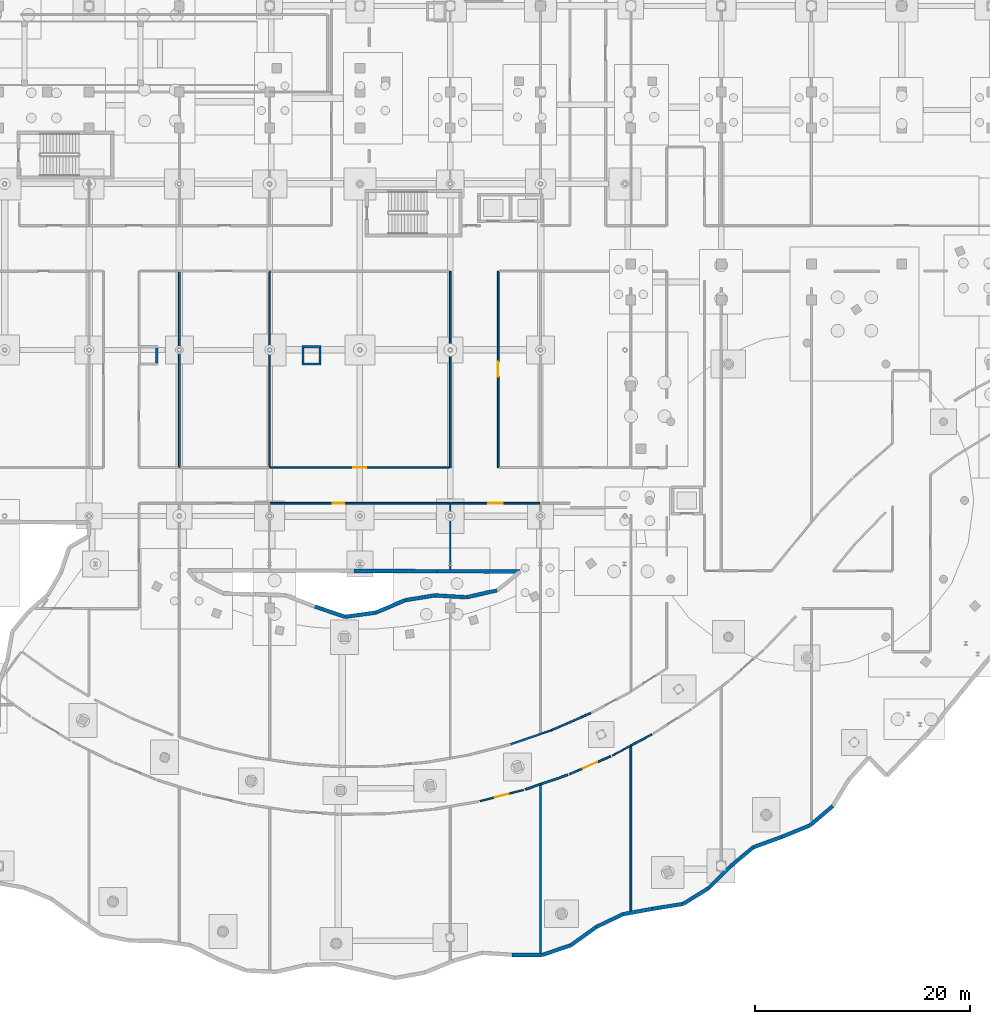
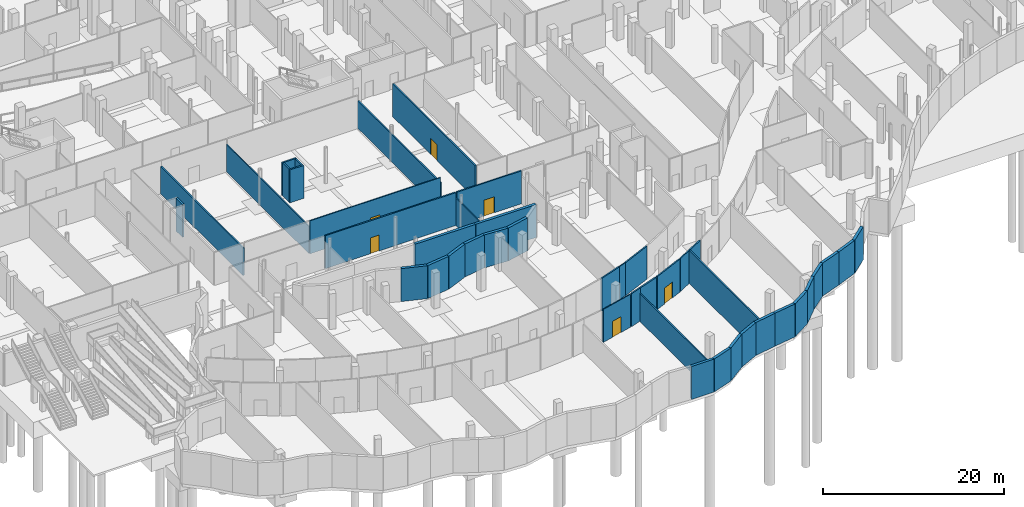
# One storey, part 27 of 45: 44 walls, 6 doors, 6 openings.
"""IFC4 building model written with IfcOpenShell, lengths in metres."""

from ifc_helpers import new_model, si_unit, direction, frame, frame_2d, origin, place, context, subcontext, project, spatial, rectangle, extrude, material, layer, layer_set, type_object, element, fill, save


model = new_model("IFC4")

# Units and contexts
model_context = context("Model", 3, precision=1e-05, world=origin(), true_north=direction((0.0, 1.0)))
body_context = subcontext(model_context, "Body", "Model", "MODEL_VIEW")
ifc_project = project(units=[si_unit("LENGTHUNIT", "METRE"), si_unit("AREAUNIT", "SQUARE_METRE"), si_unit("VOLUMEUNIT", "CUBIC_METRE"), si_unit("PLANEANGLEUNIT", "RADIAN"), si_unit("MASSUNIT", "GRAM", prefix="KILO")], contexts=[model_context])

# Site, building, storey
site_placement = place(None, origin())
site = spatial("IfcSite", under=ifc_project, at=site_placement, CompositionType="ELEMENT")
building_placement = place(site_placement, origin())
building = spatial("IfcBuilding", under=site, at=building_placement, Name="Selatvlak General Hospital", CompositionType="ELEMENT")
storey_placement = place(building_placement, frame((0.0, 0.0, -4.800048828125)))
storey = spatial("IfcBuildingStorey", under=building, at=storey_placement, Name="B1", CompositionType="ELEMENT", Elevation=-4.800048828125)

# Walls
ifc_material_1 = material(Name="Concrete C45/55", Category="concrete")
ifc_layer_1 = layer(ifc_material_1, 0.35009765625, Name="Concrete C45/55", Category="concrete")
ifc_layer_set_1 = layer_set([ifc_layer_1], Name="Concrete C45/55")
wall_type_1 = type_object("IfcWallType", Name="WALL-EW-05", PredefinedType="SHEAR", material=ifc_layer_set_1)
wall_1_placement = place(storey_placement, frame((100.39404296875, 25.574951171875, 0.0), z_axis=(0.0, 0.0, 1.0), x_axis=(-0.761982635716, -0.64759745434, 0.0)))
element("IfcWall", 1, at=wall_1_placement, inside=storey, type_object=wall_type_1, Name="B1 retaining wall 0076", PredefinedType="SHEAR", context=body_context, shape_type="SweptSolid", body=[
    extrude(rectangle(XDim=2.781005859375, YDim=0.35009765625, at=frame_2d((1.390625, 0.0))), origin(), (0.0, 0.0, 1.0), 4.449951171875),
])
wall_2_placement = place(storey_placement, frame((98.27490234375, 23.77392578125, 0.0), z_axis=(0.0, 0.0, 1.0), x_axis=(-0.925850699437, -0.377889510772, 0.0)))
element("IfcWall", 2, at=wall_2_placement, inside=storey, type_object=wall_type_1, Name="B1 retaining wall 0077", PredefinedType="SHEAR", context=body_context, shape_type="SweptSolid", body=[
    extrude(rectangle(XDim=2.852294921875, YDim=0.35009765625, at=frame_2d((1.42626953125, 0.0))), origin(), (0.0, 0.0, 1.0), 4.449951171875),
])
wall_3_placement = place(storey_placement, frame((95.634033203125, 22.696044921875, 0.0), z_axis=(0.0, 0.0, 1.0), x_axis=(-0.939965622494, -0.341269143827, 0.0)))
element("IfcWall", 3, at=wall_3_placement, inside=storey, type_object=wall_type_1, Name="B1 retaining wall 0078", PredefinedType="SHEAR", context=body_context, shape_type="SweptSolid", body=[
    extrude(rectangle(XDim=2.81298828125, YDim=0.35009765625, at=frame_2d((1.406494140625, 0.0))), origin(), (0.0, 0.0, 1.0), 4.449951171875),
])
wall_4_placement = place(storey_placement, frame((92.989990234375, 21.736083984375, 0.0), z_axis=(0.0, 0.0, 1.0), x_axis=(-0.76906516177, -0.639170381785, 0.0)))
element("IfcWall", 4, at=wall_4_placement, inside=storey, type_object=wall_type_1, Name="B1 retaining wall 0079", PredefinedType="SHEAR", context=body_context, shape_type="SweptSolid", body=[
    extrude(rectangle(XDim=2.772216796875, YDim=0.35009765625, at=frame_2d((1.38623046875, 0.0))), origin(), (0.0, 0.0, 1.0), 4.449951171875),
])
wall_5_placement = place(storey_placement, frame((90.85791015625, 19.964111328125, 0.0), z_axis=(0.0, 0.0, 1.0), x_axis=(-0.706212168746, -0.708000263217, 0.0)))
element("IfcWall", 5, at=wall_5_placement, inside=storey, type_object=wall_type_1, Name="B1 retaining wall 0080", PredefinedType="SHEAR", context=body_context, shape_type="SweptSolid", body=[
    extrude(rectangle(XDim=2.8671875, YDim=0.35009765625, at=frame_2d((1.43359375, 0.0))), origin(), (0.0, 0.0, 1.0), 4.449951171875),
])
wall_6_placement = place(storey_placement, frame((88.8330078125, 17.93408203125, 0.0), z_axis=(0.0, 0.0, 1.0), x_axis=(-0.849701046784, -0.527264763752, 0.0)))
element("IfcWall", 6, at=wall_6_placement, inside=storey, type_object=wall_type_1, Name="B1 retaining wall 0081", PredefinedType="SHEAR", context=body_context, shape_type="SweptSolid", body=[
    extrude(rectangle(XDim=2.787841796875, YDim=0.35009765625, at=frame_2d((1.39404296875, 0.0))), origin(), (0.0, 0.0, 1.0), 4.449951171875),
])
wall_7_placement = place(storey_placement, frame((86.464111328125, 16.464111328125, 0.0), z_axis=(0.0, 0.0, 1.0), x_axis=(-0.9875020261, -0.157606308405, 0.0)))
element("IfcWall", 7, at=wall_7_placement, inside=storey, type_object=wall_type_1, Name="B1 retaining wall 0082", PredefinedType="SHEAR", context=body_context, shape_type="SweptSolid", body=[
    extrude(rectangle(XDim=2.875, YDim=0.35009765625, at=frame_2d((1.4375, 0.0))), origin(), (0.0, 0.0, 1.0), 4.449951171875),
])
wall_8_placement = place(storey_placement, frame((83.625, 16.010986328125, 0.0), z_axis=(0.0, 0.0, 1.0), x_axis=(-0.983892247741, -0.17876253756, 0.0)))
element("IfcWall", 8, at=wall_8_placement, inside=storey, type_object=wall_type_1, Name="B1 retaining wall 0083", PredefinedType="SHEAR", context=body_context, shape_type="SweptSolid", body=[
    extrude(rectangle(XDim=2.797119140625, YDim=0.35009765625, at=frame_2d((1.3984375, 0.0))), origin(), (0.0, 0.0, 1.0), 4.449951171875),
])
wall_9_placement = place(storey_placement, frame((80.873046875, 15.510986328125, 0.0), z_axis=(0.0, 0.0, 1.0), x_axis=(-0.902354807678, -0.430993968705, 0.0)))
element("IfcWall", 9, at=wall_9_placement, inside=storey, type_object=wall_type_1, Name="B1 retaining wall 0084", PredefinedType="SHEAR", context=body_context, shape_type="SweptSolid", body=[
    extrude(rectangle(XDim=2.751953125, YDim=0.35009765625, at=frame_2d((1.3759765625, 0.0))), origin(), (0.0, 0.0, 1.0), 4.449951171875),
])
wall_10_placement = place(storey_placement, frame((78.389892578125, 14.324951171875, 0.0), z_axis=(0.0, 0.0, 1.0), x_axis=(-0.811689002355, -0.584089859059, 0.0)))
element("IfcWall", 10, at=wall_10_placement, inside=storey, type_object=wall_type_1, Name="B1 retaining wall 0085", PredefinedType="SHEAR", context=body_context, shape_type="SweptSolid", body=[
    extrude(rectangle(XDim=2.90380859375, YDim=0.35009765625, at=frame_2d((1.451904296875, 0.0))), origin(), (0.0, 0.0, 1.0), 4.449951171875),
])
wall_11_placement = place(storey_placement, frame((76.032958984375, 12.62890625, 0.0), z_axis=(0.0, 0.0, 1.0), x_axis=(-0.946331522705, -0.323197538874, 0.0)))
element("IfcWall", 11, at=wall_11_placement, inside=storey, type_object=wall_type_1, Name="B1 retaining wall 0086", PredefinedType="SHEAR", context=body_context, shape_type="SweptSolid", body=[
    extrude(rectangle(XDim=2.78125, YDim=0.35009765625, at=frame_2d((1.390625, 0.0))), origin(), (0.0, 0.0, 1.0), 4.449951171875),
])
wall_12_placement = place(storey_placement, frame((73.40087890625, 11.72998046875, 0.0), z_axis=(0.0, 0.0, 1.0), x_axis=(-0.999999763982, -0.000687048962, 0.0)))
element("IfcWall", 12, at=wall_12_placement, inside=storey, type_object=wall_type_1, Name="B1 retaining wall 0087", PredefinedType="SHEAR", context=body_context, shape_type="SweptSolid", body=[
    extrude(rectangle(XDim=2.8427734375, YDim=0.35009765625, at=frame_2d((1.42138671875, 0.0))), origin(), (0.0, 0.0, 1.0), 4.449951171875),
])
wall_13_placement = place(storey_placement, frame((52.216064453125, 44.131103515625, 0.0), z_axis=(0.0, 0.0, 1.0), x_axis=(0.946339976723, -0.323172784213, 0.0)))
element("IfcWall", 13, at=wall_13_placement, inside=storey, type_object=wall_type_1, Name="B1 retaining wall 0127", PredefinedType="SHEAR", context=body_context, shape_type="SweptSolid", body=[
    extrude(rectangle(XDim=2.94921875, YDim=0.35009765625, at=frame_2d((1.474609375, 0.0))), origin(), (0.0, 0.0, 1.0), 4.449951171875),
])
wall_14_placement = place(storey_placement, frame((55.007080078125, 43.177978515625, 0.0), z_axis=(0.0, 0.0, 1.0), x_axis=(0.990898218755, 0.134613223971, 0.0)))
element("IfcWall", 14, at=wall_14_placement, inside=storey, type_object=wall_type_1, Name="B1 retaining wall 0128", PredefinedType="SHEAR", context=body_context, shape_type="SweptSolid", body=[
    extrude(rectangle(XDim=2.898193359375, YDim=0.35009765625, at=frame_2d((1.44921875, 0.0))), origin(), (0.0, 0.0, 1.0), 4.449951171875),
])
wall_15_placement = place(storey_placement, frame((57.87890625, 43.568115234375, 0.0), z_axis=(0.0, 0.0, 1.0), x_axis=(0.921303886812, 0.388843346535, 0.0)))
element("IfcWall", 15, at=wall_15_placement, inside=storey, type_object=wall_type_1, Name="B1 retaining wall 0129", PredefinedType="SHEAR", context=body_context, shape_type="SweptSolid", body=[
    extrude(rectangle(XDim=2.9697265625, YDim=0.35009765625, at=frame_2d((1.48486328125, 0.0))), origin(), (0.0, 0.0, 1.0), 4.449951171875),
])
wall_16_placement = place(storey_placement, frame((60.614990234375, 44.722900390625, 0.0), z_axis=(0.0, 0.0, 1.0), x_axis=(0.987080428045, 0.160225555297, 0.0)))
element("IfcWall", 16, at=wall_16_placement, inside=storey, type_object=wall_type_1, Name="B1 retaining wall 0130", PredefinedType="SHEAR", context=body_context, shape_type="SweptSolid", body=[
    extrude(rectangle(XDim=2.7900390625, YDim=0.35009765625, at=frame_2d((1.39501953125, 0.0))), origin(), (0.0, 0.0, 1.0), 4.449951171875),
])
wall_17_placement = place(storey_placement, frame((63.368896484375, 45.169921875, 0.0), z_axis=(0.0, 0.0, 1.0), x_axis=(0.998239014503, -0.059320063419, 0.0)))
element("IfcWall", 17, at=wall_17_placement, inside=storey, type_object=wall_type_1, Name="B1 retaining wall 0131", PredefinedType="SHEAR", context=body_context, shape_type="SweptSolid", body=[
    extrude(rectangle(XDim=2.96728515625, YDim=0.35009765625, at=frame_2d((1.483642578125, 0.0))), origin(), (0.0, 0.0, 1.0), 4.449951171875),
])
wall_18_placement = place(storey_placement, frame((66.3310546875, 44.993896484375, 0.0), z_axis=(0.0, 0.0, 1.0), x_axis=(0.97459621829, 0.223969219524, 0.0)))
element("IfcWall", 18, at=wall_18_placement, inside=storey, type_object=wall_type_1, Name="B1 retaining wall 0132", PredefinedType="SHEAR", context=body_context, shape_type="SweptSolid", body=[
    extrude(rectangle(XDim=2.88427734375, YDim=0.35009765625, at=frame_2d((1.442138671875, 0.0))), origin(), (0.0, 0.0, 1.0), 4.449951171875),
])
wall_19_placement = place(storey_placement, frame((71.303955078125, 47.39306640625, 0.0), z_axis=(0.0, 0.0, 1.0), x_axis=(-0.999993957022, 0.003476480998, 0.0)))
element("IfcWall", 19, at=wall_19_placement, inside=storey, type_object=wall_type_1, Name="B1 retaining wall 0134", PredefinedType="SHEAR", context=body_context, shape_type="SweptSolid", body=[
    extrude(rectangle(XDim=7.724853515625, YDim=0.35009765625, at=frame_2d((3.8623046875, 0.0))), origin(), (0.0, 0.0, 1.0), 4.449951171875),
])
wall_20_placement = place(storey_placement, frame((63.5791015625, 47.419921875, 0.0), z_axis=(0.0, 0.0, 1.0), x_axis=(-0.999993845484, 0.003508417626, 0.0)))
element("IfcWall", 20, at=wall_20_placement, inside=storey, type_object=wall_type_1, Name="B1 retaining wall 0135", PredefinedType="SHEAR", context=body_context, shape_type="SweptSolid", body=[
    extrude(rectangle(XDim=7.72412109375, YDim=0.35009765625, at=frame_2d((3.862060546875, 0.0))), origin(), (0.0, 0.0, 1.0), 4.449951171875),
])
ifc_material_2 = material(Name="Concrete C40/50", Category="concrete")
ifc_layer_2 = layer(ifc_material_2, 0.199951171875, Name="Concrete C40/50", Category="concrete")
ifc_layer_set_2 = layer_set([ifc_layer_2], Name="Concrete C40/50")
wall_type_2 = type_object("IfcWallType", Name="WALL-IW-02", PredefinedType="SOLIDWALL", material=ifc_layer_set_2)
wall_21_placement = place(storey_placement, frame((51.0, 66.699951171875, 0.0), z_axis=(0.0, 0.0, 1.0), x_axis=(1.0, 0.0, 0.0)))
element("IfcWall", 21, at=wall_21_placement, inside=storey, type_object=wall_type_2, Name="Service riser 3 shaft wall B1 S", PredefinedType="SOLIDWALL", context=body_context, shape_type="SweptSolid", body=[
    extrude(rectangle(XDim=1.800048828125, YDim=0.199951171875, at=frame_2d((0.89990234375, 0.0))), origin(), (0.0, 0.0, 1.0), 4.449951171875),
])
wall_22_placement = place(storey_placement, frame((52.699951171875, 66.800048828125, 0.0), z_axis=(0.0, 0.0, 1.0), x_axis=(0.0, 1.0, 0.0)))
element("IfcWall", 22, at=wall_22_placement, inside=storey, type_object=wall_type_2, Name="Service riser 3 shaft wall B1 E", PredefinedType="SOLIDWALL", context=body_context, shape_type="SweptSolid", body=[
    extrude(rectangle(XDim=1.39990234375, YDim=0.199951171875, at=frame_2d((0.699951171875, 0.0))), origin(), (0.0, 0.0, 1.0), 4.449951171875),
])
wall_23_placement = place(storey_placement, frame((52.800048828125, 68.300048828125, 0.0), z_axis=(0.0, 0.0, 1.0), x_axis=(-1.0, 0.0, 0.0)))
element("IfcWall", 23, at=wall_23_placement, inside=storey, type_object=wall_type_2, Name="Service riser 3 shaft wall B1 N", PredefinedType="SOLIDWALL", context=body_context, shape_type="SweptSolid", body=[
    extrude(rectangle(XDim=1.800048828125, YDim=0.199951171875, at=frame_2d((0.89990234375, 0.0))), origin(), (0.0, 0.0, 1.0), 4.449951171875),
])
for number, where, z_axis, x_axis, name in (
    (24, (51.10009765625, 68.199951171875, 0.0), (0.0, 0.0, 1.0), (0.0, -1.0, 0.0), "Service riser 3 shaft wall B1 W"),
    (25, (37.5, 66.800048828125, 0.0), (0.0, 0.0, 1.0), (0.0, 1.0, 0.0), "Service riser 5 shaft wall B1 E"),
):
    element("IfcWall", number, at=place(storey_placement, frame(where, z_axis=z_axis, x_axis=x_axis)), inside=storey, type_object=wall_type_2, Name=name, PredefinedType="SOLIDWALL", context=body_context, shape_type="SweptSolid", body=[
        extrude(rectangle(XDim=1.39990234375, YDim=0.199951171875, at=frame_2d((0.699951171875, 0.0))), origin(), (0.0, 0.0, 1.0), 4.449951171875),
    ])
ifc_material_3 = material(Name="Acoustic gypsum stud partition")
ifc_layer_3 = layer(ifc_material_3, 0.179931640625, Name="Acoustic gypsum stud partition")
ifc_layer_set_3 = layer_set([ifc_layer_3], Name="Acoustic gypsum stud partition")
wall_type_3 = type_object("IfcWallType", Name="WALL-PT-01", PredefinedType="PARTITIONING", material=ifc_layer_set_3)
wall_24_placement = place(storey_placement, frame((39.60009765625, 75.283935546875, 0.0), z_axis=(0.0, 0.0, 1.0), x_axis=(0.0, -1.0, 0.0)))
element("IfcWall", 26, at=wall_24_placement, inside=storey, type_object=wall_type_3, Name="B1 clinical partition PT-B1-0055", PredefinedType="PARTITIONING", context=body_context, shape_type="SweptSolid", body=[
    extrude(rectangle(XDim=18.223876953125, YDim=0.179931640625, at=frame_2d((9.11181640625, 0.0))), origin(), (0.0, 0.0, 1.0), 3.699951171875),
])

# Wall, opening, door
wall_25_placement = place(storey_placement, frame((48.06298828125, 53.739990234375, 0.0), z_axis=(0.0, 0.0, 1.0), x_axis=(1.0, 0.0, 0.0)))
wall_25 = element("IfcWall", 27, at=wall_25_placement, inside=storey, type_object=wall_type_3, Name="B1 clinical partition PT-B1-0078", PredefinedType="PARTITIONING", context=body_context, shape_type="SweptSolid", body=[
    extrude(rectangle(XDim=16.673095703125, YDim=0.179931640625, at=frame_2d((8.33642578125, 0.0))), origin(), (0.0, 0.0, 1.0), 4.449951171875),
])
opening_1_placement = place(wall_25_placement, frame((5.785888671875, 0.0, 0.0)))
opening_1 = element("IfcOpeningElement", 28, at=opening_1_placement, cuts=wall_25, Name="Opening D-22", PredefinedType="OPENING", context=body_context, shape_type="SweptSolid", body=[
    extrude(rectangle(XDim=1.10009765625, YDim=2.14990234375, at=frame_2d((0.550048828125, 1.074951171875))), frame((0.0, 0.099853515625, 0.0), z_axis=(0.0, -1.0, 0.0), x_axis=(1.0, 0.0, 0.0)), (0.0, 0.0, 1.0), 0.199951171875),
])
ifc_material_4 = material(Name="Pharmacy security fire door")
door_type_1 = type_object("IfcDoorType", Name="DOOR-D-22", OperationType="NOTDEFINED", PredefinedType="DOOR", material=ifc_material_4)
door_1_placement = place(opening_1_placement, origin())
door_1 = element("IfcDoor", 29, at=door_1_placement, inside=storey, type_object=door_type_1, Name="B1 Outpatient Medical Records Archive 13 door", OperationType="SINGLE_SWING_LEFT", OverallHeight=2.14990234375, OverallWidth=1.10009765625, PredefinedType="DOOR", context=body_context, shape_type="SweptSolid", body=[
    extrude(rectangle(XDim=1.10009765625, YDim=2.14990234375, at=frame_2d((0.550048828125, 1.074951171875))), frame((0.0, 0.02490234375, 0.0), z_axis=(0.0, -1.0, 0.0), x_axis=(1.0, 0.0, 0.0)), (0.0, 0.0, 1.0), 0.050048828125),
])
fill(opening_1, door_1)

# Walls
wall_26_placement = place(storey_placement, frame((71.783935546875, 27.118896484375, 0.0), z_axis=(0.0, 0.0, 1.0), x_axis=(0.945824378739, 0.324678678978, 0.0)))
element("IfcWall", 30, at=wall_26_placement, inside=storey, type_object=wall_type_3, Name="B1 clinical partition PT-B1-0090", PredefinedType="PARTITIONING", context=body_context, shape_type="SweptSolid", body=[
    extrude(rectangle(XDim=1.4970703125, YDim=0.179931640625, at=frame_2d((0.74853515625, 0.0))), origin(), (0.0, 0.0, 1.0), 4.449951171875),
])
wall_27_placement = place(storey_placement, frame((73.199951171875, 32.278076171875, 0.0), z_axis=(0.0, 0.0, 1.0), x_axis=(-0.94578196559, -0.324802206836, 0.0)))
element("IfcWall", 31, at=wall_27_placement, inside=storey, type_object=wall_type_3, Name="B1 clinical partition PT-B1-0093", PredefinedType="PARTITIONING", context=body_context, shape_type="SweptSolid", body=[
    extrude(rectangle(XDim=2.925537109375, YDim=0.179931640625, at=frame_2d((1.462890625, 0.0))), origin(), (0.0, 0.0, 1.0), 4.449951171875),
])

# Wall, opening, door
wall_28_placement = place(storey_placement, frame((64.864013671875, 53.739990234375, 0.0), z_axis=(0.0, 0.0, 1.0), x_axis=(1.0, 0.0, 0.0)))
wall_28 = element("IfcWall", 32, at=wall_28_placement, inside=storey, type_object=wall_type_3, Name="B1 clinical partition PT-B1-0096", PredefinedType="PARTITIONING", context=body_context, shape_type="SweptSolid", body=[
    extrude(rectangle(XDim=8.27197265625, YDim=0.179931640625, at=frame_2d((4.135986328125, 0.0))), origin(), (0.0, 0.0, 1.0), 4.449951171875),
])
opening_2_placement = place(wall_28_placement, frame((3.4609375, 0.0, 0.0)))
opening_2 = element("IfcOpeningElement", 33, at=opening_2_placement, cuts=wall_28, Name="Opening D-10", PredefinedType="OPENING", context=body_context, shape_type="SweptSolid", body=[
    extrude(rectangle(XDim=1.35009765625, YDim=2.14990234375, at=frame_2d((0.675048828125, 1.074951171875))), frame((0.0, 0.099853515625, 0.0), z_axis=(0.0, -1.0, 0.0), x_axis=(1.0, 0.0, 0.0)), (0.0, 0.0, 1.0), 0.199951171875),
])
ifc_material_5 = material(Name="Single patient bed door")
door_type_2 = type_object("IfcDoorType", Name="DOOR-D-10", OperationType="NOTDEFINED", PredefinedType="DOOR", material=ifc_material_5)
door_2_placement = place(opening_2_placement, origin())
door_2 = element("IfcDoor", 34, at=door_2_placement, inside=storey, type_object=door_type_2, Name="B1 Automated Pharmacy Robotics Plant 17 door", OperationType="SINGLE_SWING_LEFT", OverallHeight=2.14990234375, OverallWidth=1.35009765625, PredefinedType="DOOR", context=body_context, shape_type="SweptSolid", body=[
    extrude(rectangle(XDim=1.35009765625, YDim=2.14990234375, at=frame_2d((0.675048828125, 1.074951171875))), frame((0.0, 0.02490234375, 0.0), z_axis=(0.0, -1.0, 0.0), x_axis=(1.0, 0.0, 0.0)), (0.0, 0.0, 1.0), 0.050048828125),
])
fill(opening_2, door_2)

# Walls
wall_29_placement = place(storey_placement, frame((73.199951171875, 27.60498046875, 0.0), z_axis=(0.0, 0.0, 1.0), x_axis=(0.945827570445, 0.324669381042, 0.0)))
element("IfcWall", 35, at=wall_29_placement, inside=storey, type_object=wall_type_3, Name="B1 clinical partition PT-B1-0102", PredefinedType="PARTITIONING", context=body_context, shape_type="SweptSolid", body=[
    extrude(rectangle(XDim=2.677001953125, YDim=0.179931640625, at=frame_2d((1.33837890625, 0.0))), origin(), (0.0, 0.0, 1.0), 4.449951171875),
])
wall_30_placement = place(storey_placement, frame((81.60009765625, 31.1240234375, 0.0), z_axis=(0.0, 0.0, 1.0), x_axis=(0.0, -1.0, 0.0)))
element("IfcWall", 36, at=wall_30_placement, inside=storey, type_object=wall_type_3, Name="B1 clinical partition PT-B1-0105", PredefinedType="PARTITIONING", context=body_context, shape_type="SweptSolid", body=[
    extrude(rectangle(XDim=15.305908203125, YDim=0.179931640625, at=frame_2d((7.65283203125, 0.0))), origin(), (0.0, 0.0, 1.0), 4.449951171875),
])
ifc_layer_4 = layer(ifc_material_3, 0.1650390625, Name="Acoustic gypsum stud partition")
ifc_layer_set_4 = layer_set([ifc_layer_4], Name="Acoustic gypsum stud partition")
wall_type_4 = type_object("IfcWallType", Name="WALL-PT-02", PredefinedType="PARTITIONING", material=ifc_layer_set_4)
wall_31_placement = place(storey_placement, frame((64.800048828125, 75.340087890625, 0.0), z_axis=(0.0, 0.0, 1.0), x_axis=(0.0, -1.0, 0.0)))
element("IfcWall", 37, at=wall_31_placement, inside=storey, type_object=wall_type_4, Name="B1 clinical partition PT-B1-0085", PredefinedType="PARTITIONING", context=body_context, shape_type="SweptSolid", body=[
    extrude(rectangle(XDim=18.280029296875, YDim=0.1650390625, at=frame_2d((9.14013671875, 0.0))), origin(), (0.0, 0.0, 1.0), 3.699951171875),
])
wall_32_placement = place(storey_placement, frame((73.199951171875, 27.513916015625, 0.0), z_axis=(0.0, 0.0, 1.0), x_axis=(0.0, -1.0, 0.0)))
element("IfcWall", 38, at=wall_32_placement, inside=storey, type_object=wall_type_4, Name="B1 clinical partition PT-B1-0091", PredefinedType="PARTITIONING", context=body_context, shape_type="SweptSolid", body=[
    extrude(rectangle(XDim=15.61181640625, YDim=0.1650390625, at=frame_2d((7.805908203125, 0.0))), origin(), (0.0, 0.0, 1.0), 3.75),
])

# Wall, opening, door
wall_33_placement = place(storey_placement, frame((69.260009765625, 57.06005859375, 0.0), z_axis=(0.0, 0.0, 1.0), x_axis=(0.0, 1.0, 0.0)))
wall_33 = element("IfcWall", 39, at=wall_33_placement, inside=storey, type_object=wall_type_4, Name="B1 clinical partition PT-B1-0097", PredefinedType="PARTITIONING", context=body_context, shape_type="SweptSolid", body=[
    extrude(rectangle(XDim=18.280029296875, YDim=0.1650390625, at=frame_2d((9.14013671875, 0.0))), origin(), (0.0, 0.0, 1.0), 4.449951171875),
])
opening_3_placement = place(wall_33_placement, frame((8.43994140625, 0.0, 0.0)))
opening_3 = element("IfcOpeningElement", 40, at=opening_3_placement, cuts=wall_33, Name="Opening D-11", PredefinedType="OPENING", context=body_context, shape_type="SweptSolid", body=[
    extrude(rectangle(XDim=1.39990234375, YDim=2.14990234375, at=frame_2d((0.699951171875, 1.074951171875))), frame((0.0, 0.092529296875, 0.0), z_axis=(0.0, -1.0, 0.0), x_axis=(1.0, 0.0, 0.0)), (0.0, 0.0, 1.0), 0.18505859375),
])
ifc_material_6 = material(Name="Inpatient suite bed door")
door_type_3 = type_object("IfcDoorType", Name="DOOR-D-11", OperationType="NOTDEFINED", PredefinedType="DOOR", material=ifc_material_6)
door_3_placement = place(opening_3_placement, origin())
door_3 = element("IfcDoor", 41, at=door_3_placement, inside=storey, type_object=door_type_3, Name="B1 Standard Underground Car Park Bay Zone 18 door", OperationType="SINGLE_SWING_RIGHT", OverallHeight=2.14990234375, OverallWidth=1.39990234375, PredefinedType="DOOR", context=body_context, shape_type="SweptSolid", body=[
    extrude(rectangle(XDim=1.39990234375, YDim=2.14990234375, at=frame_2d((0.699951171875, 1.074951171875))), frame((0.0, 0.02490234375, 0.0), z_axis=(0.0, -1.0, 0.0), x_axis=(1.0, 0.0, 0.0)), (0.0, 0.0, 1.0), 0.050048828125),
])
fill(opening_3, door_3)

wall_34_placement = place(storey_placement, frame((75.89697265625, 28.5380859375, 0.0), z_axis=(0.0, 0.0, 1.0), x_axis=(0.916891425258, 0.399136711276, 0.0)))
wall_34 = element("IfcWall", 42, at=wall_34_placement, inside=storey, type_object=wall_type_4, Name="B1 clinical partition PT-B1-0103", PredefinedType="PARTITIONING", context=body_context, shape_type="SweptSolid", body=[
    extrude(rectangle(XDim=4.174072265625, YDim=0.1650390625, at=frame_2d((2.0869140625, 0.0))), origin(), (0.0, 0.0, 1.0), 4.449951171875),
])
opening_4_placement = place(wall_34_placement, frame((1.362060546875, 0.0, 0.0)))
opening_4 = element("IfcOpeningElement", 43, at=opening_4_placement, cuts=wall_34, Name="Opening D-12", PredefinedType="OPENING", context=body_context, shape_type="SweptSolid", body=[
    extrude(rectangle(XDim=1.449951171875, YDim=2.14990234375, at=frame_2d((0.72509765625, 1.074951171875))), frame((0.0, 0.092529296875, 0.0), z_axis=(0.0, -1.0, 0.0), x_axis=(1.0, 0.0, 0.0)), (0.0, 0.0, 1.0), 0.18505859375),
])
ifc_material_7 = material(Name="Isolation anteroom door")
door_type_4 = type_object("IfcDoorType", Name="DOOR-D-12", OperationType="NOTDEFINED", PredefinedType="DOOR", material=ifc_material_7)
door_4_placement = place(opening_4_placement, origin())
door_4 = element("IfcDoor", 44, at=door_4_placement, inside=storey, type_object=door_type_4, Name="B1 Automated Pharmacy Robotics Plant 20 door", OperationType="SINGLE_SWING_LEFT", OverallHeight=2.14990234375, OverallWidth=1.449951171875, PredefinedType="DOOR", context=body_context, shape_type="SweptSolid", body=[
    extrude(rectangle(XDim=1.449951171875, YDim=2.14990234375, at=frame_2d((0.72509765625, 1.074951171875))), frame((0.0, 0.02490234375, 0.0), z_axis=(0.0, -1.0, 0.0), x_axis=(1.0, 0.0, 0.0)), (0.0, 0.0, 1.0), 0.050048828125),
])
fill(opening_4, door_4)

# Walls
wall_35_placement = place(storey_placement, frame((77.87890625, 34.220947265625, 0.0), z_axis=(0.0, 0.0, 1.0), x_axis=(-0.916925298724, -0.399058888586, 0.0)))
element("IfcWall", 45, at=wall_35_placement, inside=storey, type_object=wall_type_4, Name="B1 clinical partition PT-B1-0109", PredefinedType="PARTITIONING", context=body_context, shape_type="SweptSolid", body=[
    extrude(rectangle(XDim=3.996826171875, YDim=0.1650390625, at=frame_2d((1.99853515625, 0.0))), origin(), (0.0, 0.0, 1.0), 4.449951171875),
])
wall_36_placement = place(storey_placement, frame((81.60009765625, 31.196044921875, 0.0), z_axis=(0.0, 0.0, 1.0), x_axis=(0.882365080709, 0.470565472963, 0.0)))
element("IfcWall", 46, at=wall_36_placement, inside=storey, type_object=wall_type_4, Name="B1 clinical partition PT-B1-0115", PredefinedType="PARTITIONING", context=body_context, shape_type="SweptSolid", body=[
    extrude(rectangle(XDim=2.226806640625, YDim=0.1650390625, at=frame_2d((1.11328125, 0.0))), origin(), (0.0, 0.0, 1.0), 4.449951171875),
])
ifc_material_8 = material(Name="Moisture-resistant clinical partition")
ifc_layer_5 = layer(ifc_material_8, 0.135009765625, Name="Moisture-resistant clinical partition")
ifc_layer_set_5 = layer_set([ifc_layer_5], Name="Moisture-resistant clinical partition")
wall_type_5 = type_object("IfcWallType", Name="WALL-PT-04", PredefinedType="PARTITIONING", material=ifc_layer_set_5)
wall_37_placement = place(storey_placement, frame((48.0, 75.340087890625, 0.0), z_axis=(0.0, 0.0, 1.0), x_axis=(0.0, -1.0, 0.0)))
element("IfcWall", 47, at=wall_37_placement, inside=storey, type_object=wall_type_5, Name="B1 clinical partition PT-B1-0068", PredefinedType="PARTITIONING", context=body_context, shape_type="SweptSolid", body=[
    extrude(rectangle(XDim=18.280029296875, YDim=0.135009765625, at=frame_2d((9.14013671875, 0.0))), origin(), (0.0, 0.0, 1.0), 3.699951171875),
])
wall_38_placement = place(storey_placement, frame((64.800048828125, 53.739990234375, 0.0), z_axis=(0.0, 0.0, 1.0), x_axis=(0.0, -1.0, 0.0)))
element("IfcWall", 48, at=wall_38_placement, inside=storey, type_object=wall_type_5, Name="B1 clinical partition PT-B1-0077", PredefinedType="PARTITIONING", context=body_context, shape_type="SweptSolid", body=[
    extrude(rectangle(XDim=6.152099609375, YDim=0.135009765625, at=frame_2d((3.076171875, 0.0))), origin(), (0.0, 0.0, 1.0), 3.699951171875),
])

# Wall, opening, door
wall_39_placement = place(storey_placement, frame((64.720947265625, 57.06005859375, 0.0), z_axis=(0.0, 0.0, 1.0), x_axis=(-1.0, 0.0, 0.0)))
wall_39 = element("IfcWall", 49, at=wall_39_placement, inside=storey, type_object=wall_type_5, Name="B1 clinical partition PT-B1-0086", PredefinedType="PARTITIONING", context=body_context, shape_type="SweptSolid", body=[
    extrude(rectangle(XDim=16.657958984375, YDim=0.135009765625, at=frame_2d((8.3291015625, 0.0))), origin(), (0.0, 0.0, 1.0), 4.449951171875),
])
opening_5_placement = place(wall_39_placement, frame((7.72900390625, 0.0, 0.0)))
opening_5 = element("IfcOpeningElement", 50, at=opening_5_placement, cuts=wall_39, Name="Opening D-07", PredefinedType="OPENING", context=body_context, shape_type="SweptSolid", body=[
    extrude(rectangle(XDim=1.199951171875, YDim=2.14990234375, at=frame_2d((0.60009765625, 1.074951171875))), frame((0.0, 0.077392578125, 0.0), z_axis=(0.0, -1.0, 0.0), x_axis=(1.0, 0.0, 0.0)), (0.0, 0.0, 1.0), 0.155029296875),
])
ifc_material_9 = material(Name="Plant and store fire door")
door_type_5 = type_object("IfcDoorType", Name="DOOR-D-07", OperationType="NOTDEFINED", PredefinedType="DOOR", material=ifc_material_9)
door_5_placement = place(opening_5_placement, origin())
door_5 = element("IfcDoor", 51, at=door_5_placement, inside=storey, type_object=door_type_5, Name="B1 Standard Underground Car Park Bay Zone 15 door", OperationType="SINGLE_SWING_LEFT", OverallHeight=2.14990234375, OverallWidth=1.199951171875, PredefinedType="DOOR", context=body_context, shape_type="SweptSolid", body=[
    extrude(rectangle(XDim=1.199951171875, YDim=2.14990234375, at=frame_2d((0.60009765625, 1.074951171875))), frame((0.0, 0.02490234375, 0.0), z_axis=(0.0, -1.0, 0.0), x_axis=(1.0, 0.0, 0.0)), (0.0, 0.0, 1.0), 0.050048828125),
])
fill(opening_5, door_5)

wall_40_placement = place(storey_placement, frame((67.573974609375, 26.030029296875, 0.0), z_axis=(0.0, 0.0, 1.0), x_axis=(0.968581545525, 0.248696179443, 0.0)))
wall_40 = element("IfcWall", 52, at=wall_40_placement, inside=storey, type_object=wall_type_5, Name="B1 clinical partition PT-B1-0089", PredefinedType="PARTITIONING", context=body_context, shape_type="SweptSolid", body=[
    extrude(rectangle(XDim=4.174072265625, YDim=0.135009765625, at=frame_2d((2.0869140625, 0.0))), origin(), (0.0, 0.0, 1.0), 4.449951171875),
])
opening_6_placement = place(wall_40_placement, frame((1.43701171875, 0.0, 0.0)))
opening_6 = element("IfcOpeningElement", 53, at=opening_6_placement, cuts=wall_40, Name="Opening D-09", PredefinedType="OPENING", context=body_context, shape_type="SweptSolid", body=[
    extrude(rectangle(XDim=1.300048828125, YDim=2.14990234375, at=frame_2d((0.64990234375, 1.074951171875))), frame((0.0, 0.077392578125, 0.0), z_axis=(0.0, -1.0, 0.0), x_axis=(1.0, 0.0, 0.0)), (0.0, 0.0, 1.0), 0.155029296875),
])
ifc_material_10 = material(Name="Outpatient procedure door")
door_type_6 = type_object("IfcDoorType", Name="DOOR-D-09", OperationType="NOTDEFINED", PredefinedType="DOOR", material=ifc_material_10)
door_6_placement = place(opening_6_placement, origin())
door_6 = element("IfcDoor", 54, at=door_6_placement, inside=storey, type_object=door_type_6, Name="B1 Outpatient Medical Records Archive 16 door", OperationType="SINGLE_SWING_RIGHT", OverallHeight=2.14990234375, OverallWidth=1.300048828125, PredefinedType="DOOR", context=body_context, shape_type="SweptSolid", body=[
    extrude(rectangle(XDim=1.300048828125, YDim=2.14990234375, at=frame_2d((0.64990234375, 1.074951171875))), frame((0.0, 0.02490234375, 0.0), z_axis=(0.0, -1.0, 0.0), x_axis=(1.0, 0.0, 0.0)), (0.0, 0.0, 1.0), 0.050048828125),
])
fill(opening_6, door_6)

# Walls
wall_41_placement = place(storey_placement, frame((79.882080078125, 30.280029296875, 0.0), z_axis=(0.0, 0.0, 1.0), x_axis=(0.882408473544, 0.470484097305, 0.0)))
element("IfcWall", 55, at=wall_41_placement, inside=storey, type_object=wall_type_5, Name="B1 clinical partition PT-B1-0104", PredefinedType="PARTITIONING", context=body_context, shape_type="SweptSolid", body=[
    extrude(rectangle(XDim=1.947021484375, YDim=0.135009765625, at=frame_2d((0.9736328125, 0.0))), origin(), (0.0, 0.0, 1.0), 4.449951171875),
])
wall_42_placement = place(storey_placement, frame((74.214111328125, 32.6259765625, 0.0), z_axis=(0.0, 0.0, 1.0), x_axis=(-0.945901199619, -0.324454805111, 0.0)))
element("IfcWall", 56, at=wall_42_placement, inside=storey, type_object=wall_type_5, Name="B1 clinical partition PT-B1-0110", PredefinedType="PARTITIONING", context=body_context, shape_type="SweptSolid", body=[
    extrude(rectangle(XDim=1.004638671875, YDim=0.135009765625, at=frame_2d((0.50244140625, 0.0))), origin(), (0.0, 0.0, 1.0), 4.449951171875),
])

save(model, "model.ifc")
